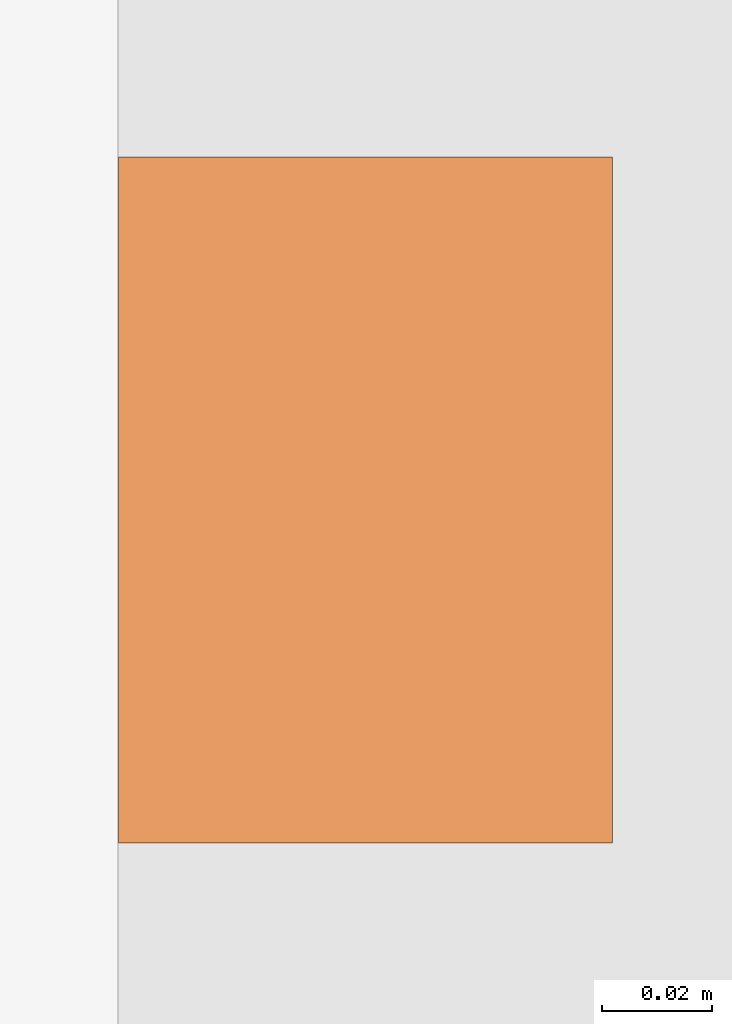
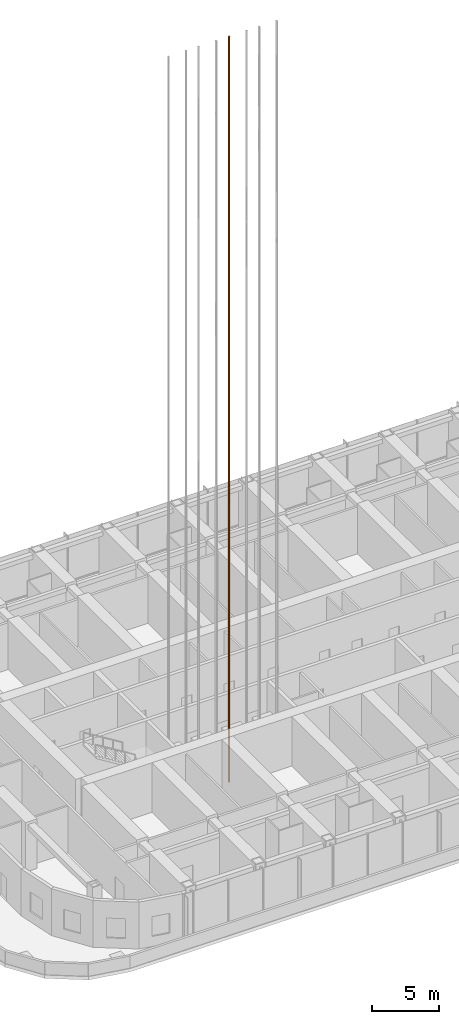
# One storey, part 29 of 32: 1 proxy.
"""IFC4 building model written with IfcOpenShell, lengths in metres."""

from ifc_helpers import new_model, si_unit, direction, frame, origin, origin_2d, place, context, subcontext, project, spatial, rectangle, extrude, material, element, save


model = new_model("IFC4")

# Units and contexts
model_context = context("Model", 3, precision=1e-05, world=origin(), true_north=direction((0.0, 1.0)))
body_context = subcontext(model_context, "Body", "Model", "MODEL_VIEW")
ifc_project = project(units=[si_unit("LENGTHUNIT", "METRE"), si_unit("AREAUNIT", "SQUARE_METRE"), si_unit("VOLUMEUNIT", "CUBIC_METRE"), si_unit("PLANEANGLEUNIT", "RADIAN"), si_unit("MASSUNIT", "GRAM", prefix="KILO")], contexts=[model_context])

# Site, building, storey
site_placement = place(None, origin())
site = spatial("IfcSite", under=ifc_project, at=site_placement, CompositionType="ELEMENT")
building_placement = place(site_placement, origin())
building = spatial("IfcBuilding", under=site, at=building_placement, Name="Orbita Commons", CompositionType="ELEMENT")
storey_placement = place(building_placement, frame((0.0, 0.0, 140.35009765625)))
storey = spatial("IfcBuildingStorey", under=building, at=storey_placement, Name="L34", CompositionType="ELEMENT", Elevation=140.35009765625)

# Proxy
ifc_material = material(Name="Machined steel guide rail", Category="steel")
placement = place(storey_placement, frame((32.5, 28.10009765625, 0.0), z_axis=(0.0, 0.0, 1.0), x_axis=(1.0, 0.0, 0.0)))
proxy_placement = place(placement, frame((-0.7548828125, 0.0, -1.800048828125)))
element("IfcBuildingElementProxy", 1, at=proxy_placement, inside=storey, material=ifc_material, Name="P33 guide rail 1", ObjectType="GUIDE RAIL", PredefinedType="USERDEFINED", context=body_context, shape_type="SweptSolid", body=[
    extrude(rectangle(XDim=0.09, YDim=0.125, at=origin_2d()), origin(), (0.0, 0.0, 1.0), 67.64990234375),
])

save(model, "model.ifc")
